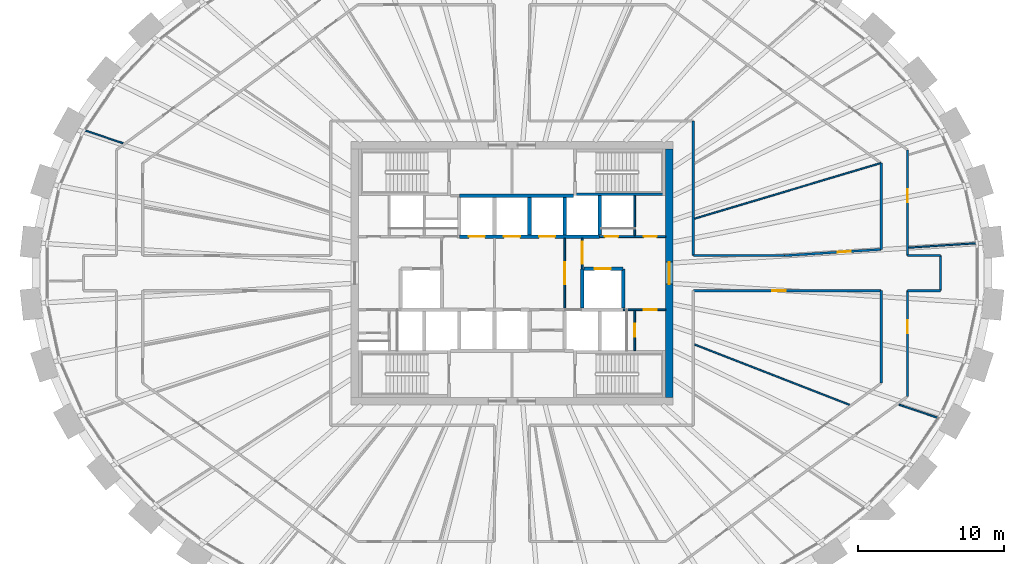
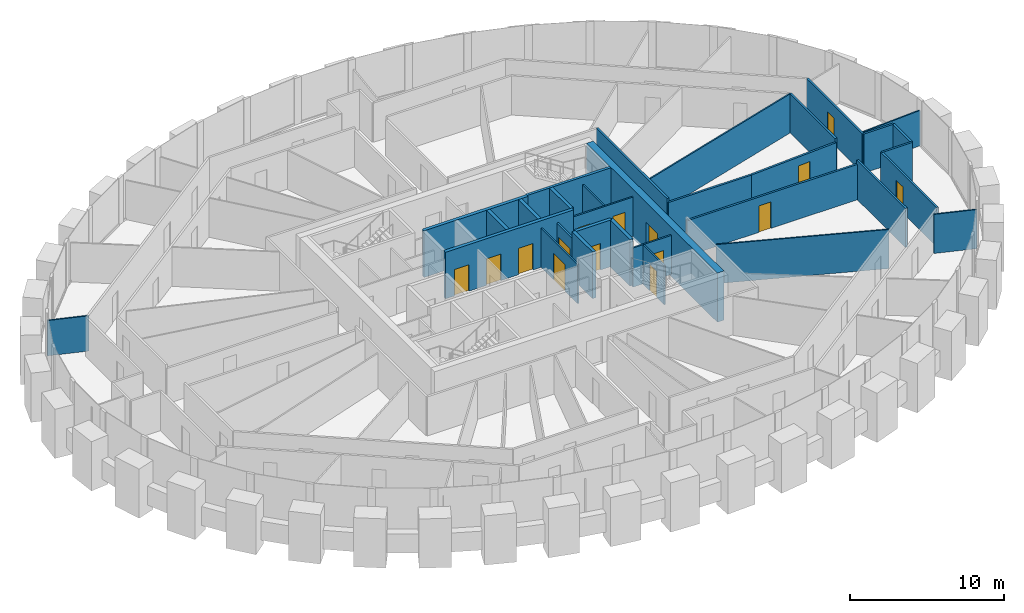
# One storey, part 9 of 12: 32 walls, 15 doors, 15 openings.
"""IFC4 building model written with IfcOpenShell, lengths in metres."""

from ifc_helpers import new_model, si_unit, direction, frame, frame_2d, origin, place, context, subcontext, project, spatial, rectangle, extrude, source, transform, mapped, material, layer, layer_set, type_object, element, fill, save


model = new_model("IFC4")

# Units and contexts
model_context = context("Model", 3, precision=1e-05, world=origin(), true_north=direction((0.0, 1.0)))
body_context = subcontext(model_context, "Body", "Model", "MODEL_VIEW")
ifc_project = project(units=[si_unit("LENGTHUNIT", "METRE"), si_unit("AREAUNIT", "SQUARE_METRE"), si_unit("VOLUMEUNIT", "CUBIC_METRE"), si_unit("PLANEANGLEUNIT", "RADIAN"), si_unit("MASSUNIT", "GRAM", prefix="KILO")], contexts=[model_context])

# Site, building, storey
site_placement = place(None, origin())
site = spatial("IfcSite", under=ifc_project, at=site_placement, CompositionType="ELEMENT")
building_placement = place(site_placement, origin())
building = spatial("IfcBuilding", under=site, at=building_placement, Name="Embergate Tower", CompositionType="ELEMENT")
storey_placement = place(building_placement, frame((0.0, 0.0, 261.699951171875)))
storey = spatial("IfcBuildingStorey", under=building, at=storey_placement, Name="L60", CompositionType="ELEMENT", Elevation=261.699951171875)

# Wall, opening, door
ifc_material_1 = material(Name="Concrete C50", Category="concrete")
ifc_layer_1 = layer(ifc_material_1, 0.5)
ifc_layer_set_1 = layer_set([ifc_layer_1], Name="Concrete C50")
wall_type_1 = type_object("IfcWallType", Name="Core outer wall C50 500", PredefinedType="SHEAR", material=ifc_layer_set_1)
shared_shape_1 = source(origin(), body_context, "Body", "SweptSolid", [
    extrude(rectangle(XDim=17.0, YDim=0.5, at=frame_2d((8.5, 0.0))), origin(), (0.0, 0.0, 1.0), 3.89990234375),
])
wall_1_placement = place(storey_placement, frame((10.75, -8.5, -0.199951171875), z_axis=(0.0, 0.0, 1.0), x_axis=(0.0, 1.0, 0.0)))
wall_1 = element("IfcWall", 1, at=wall_1_placement, inside=storey, type_object=wall_type_1, Name="CW-L60-E", PredefinedType="SHEAR", context=body_context, shape_type="MappedRepresentation", body=[
    mapped(shared_shape_1, transform((0.0, 0.0, 0.0))),
])
shared_shape_2 = source(origin(), body_context, "Body", "SweptSolid", [
    extrude(rectangle(XDim=1.5, YDim=2.10009765625, at=frame_2d((0.75, 1.050048828125))), frame((0.0, 0.260009765625, 0.0), z_axis=(0.0, -1.0, 0.0), x_axis=(1.0, 0.0, 0.0)), (0.0, 0.0, 1.0), 0.52001953125),
])
opening_1_placement = place(wall_1_placement, frame((7.75, 0.0, 0.199951171875)))
opening_1 = element("IfcOpeningElement", 2, at=opening_1_placement, cuts=wall_1, Name="Opening IF-3", PredefinedType="OPENING", context=body_context, shape_type="MappedRepresentation", body=[
    mapped(shared_shape_2, transform((0.0, 0.0, 0.0))),
])
ifc_material_2 = material(Name="Lobby fire door pair 1500")
door_type_1 = type_object("IfcDoorType", Name="Lobby fire door pair 1500", OperationType="DOUBLE_DOOR_SINGLE_SWING", PredefinedType="DOOR", material=ifc_material_2)
shared_shape_3 = source(origin(), body_context, "Body", "SweptSolid", [
    extrude(rectangle(XDim=1.5, YDim=2.10009765625, at=frame_2d((0.75, 1.050048828125))), frame((0.0, 0.02490234375, 0.0), z_axis=(0.0, -1.0, 0.0), x_axis=(1.0, 0.0, 0.0)), (0.0, 0.0, 1.0), 0.050048828125),
])
door_1_placement = place(opening_1_placement, origin())
door_1 = element("IfcDoor", 3, at=door_1_placement, inside=storey, type_object=door_type_1, Name="IF-3 door", OperationType="DOUBLE_DOOR_SINGLE_SWING", OverallHeight=2.10009765625, OverallWidth=1.5, PredefinedType="DOOR", context=body_context, shape_type="MappedRepresentation", body=[
    mapped(shared_shape_3, transform((0.0, 0.0, 0.0))),
])
fill(opening_1, door_1)

# Walls
ifc_layer_2 = layer(ifc_material_1, 0.25)
ifc_layer_set_2 = layer_set([ifc_layer_2], Name="Concrete C50")
wall_type_2 = type_object("IfcWallType", Name="Hoistway wall reinforced concrete 250", PredefinedType="SHEAR", material=ifc_layer_set_2)
shared_shape_4 = source(origin(), body_context, "Body", "SweptSolid", [
    extrude(rectangle(XDim=2.675048828125, YDim=0.25, at=frame_2d((1.33740234375, 0.0))), origin(), (0.0, 0.0, 1.0), 3.699951171875),
])
for number, where, z_axis, x_axis, name in (
    (4, (6.0, 2.625, 0.0), (0.0, 0.0, 1.0), (0.0, 1.0, 0.0), "HW-1 wall"),
    (5, (4.800048828125, -2.375, 0.0), (0.0, 0.0, 1.0), (0.0, 1.0, 0.0), "HW-1 wall"),
):
    element("IfcWall", number, at=place(storey_placement, frame(where, z_axis=z_axis, x_axis=x_axis)), inside=storey, type_object=wall_type_2, Name=name, PredefinedType="SHEAR", context=body_context, shape_type="MappedRepresentation", body=[
        mapped(shared_shape_4, transform((0.0, 0.0, 0.0))),
    ])

# Wall, opening, door
wall_2_placement = place(storey_placement, frame((7.60009765625, 0.300048828125, 0.0), z_axis=(0.0, 0.0, 1.0), x_axis=(-1.0, 0.0, 0.0)))
wall_2 = element("IfcWall", 6, at=wall_2_placement, inside=storey, type_object=wall_type_2, Name="HW-1 wall", PredefinedType="SHEAR", context=body_context, shape_type="MappedRepresentation", body=[
    mapped(shared_shape_4, transform((0.0, 0.0, 0.0))),
])
shared_shape_5 = source(origin(), body_context, "Body", "SweptSolid", [
    extrude(rectangle(XDim=1.10009765625, YDim=2.10009765625, at=frame_2d((0.550048828125, 1.050048828125))), frame((0.0, 0.135009765625, 0.0), z_axis=(0.0, -1.0, 0.0), x_axis=(1.0, 0.0, 0.0)), (0.0, 0.0, 1.0), 0.27001953125),
])
opening_2_placement = place(wall_2_placement, frame((0.85009765625, 0.0, 0.0)))
opening_2 = element("IfcOpeningElement", 7, at=opening_2_placement, cuts=wall_2, Name="Opening LD", PredefinedType="OPENING", context=body_context, shape_type="MappedRepresentation", body=[
    mapped(shared_shape_5, transform((0.0, 0.0, 0.0))),
])
ifc_material_3 = material(Name="Landing door sliding 1100")
door_type_2 = type_object("IfcDoorType", Name="Landing door sliding 1100", OperationType="SLIDING_TO_LEFT", PredefinedType="DOOR", material=ifc_material_3)
shared_shape_6 = source(origin(), body_context, "Body", "SweptSolid", [
    extrude(rectangle(XDim=1.10009765625, YDim=2.10009765625, at=frame_2d((0.550048828125, 1.050048828125))), frame((0.0, 0.02490234375, 0.0), z_axis=(0.0, -1.0, 0.0), x_axis=(1.0, 0.0, 0.0)), (0.0, 0.0, 1.0), 0.050048828125),
])
door_2_placement = place(opening_2_placement, origin())
door_2 = element("IfcDoor", 8, at=door_2_placement, inside=storey, type_object=door_type_2, Name="LD door", OperationType="SLIDING_TO_RIGHT", OverallHeight=2.10009765625, OverallWidth=1.10009765625, PredefinedType="DOOR", context=body_context, shape_type="MappedRepresentation", body=[
    mapped(shared_shape_6, transform((0.0, 0.0, 0.0))),
])
fill(opening_2, door_2)

# Walls
wall_3_placement = place(storey_placement, frame((7.60009765625, -2.375, 0.0), z_axis=(0.0, 0.0, 1.0), x_axis=(0.0, 1.0, 0.0)))
element("IfcWall", 9, at=wall_3_placement, inside=storey, type_object=wall_type_2, Name="HW-1 wall", PredefinedType="SHEAR", context=body_context, shape_type="MappedRepresentation", body=[
    mapped(shared_shape_4, transform((0.0, 0.0, 0.0))),
])
ifc_layer_3 = layer(ifc_material_1, 0.199951171875)
ifc_layer_set_3 = layer_set([ifc_layer_3], Name="Concrete C50")
wall_type_3 = type_object("IfcWallType", Name="Stair enclosure wall reinforced concrete 250", PredefinedType="SHEAR", material=ifc_layer_set_3)
shared_shape_7 = source(origin(), body_context, "Body", "SweptSolid", [
    extrude(rectangle(XDim=6.300048828125, YDim=0.199951171875, at=frame_2d((3.14990234375, 0.0))), origin(), (0.0, 0.0, 1.0), 3.699951171875),
])
wall_4_placement = place(storey_placement, frame((10.5, 5.39990234375, 0.0), z_axis=(0.0, 0.0, 1.0), x_axis=(-1.0, 0.0, 0.0)))
element("IfcWall", 10, at=wall_4_placement, inside=storey, type_object=wall_type_3, Name="SE-1 wall", PredefinedType="SHEAR", context=body_context, shape_type="MappedRepresentation", body=[
    mapped(shared_shape_7, transform((0.0, 0.0, 0.0))),
])
ifc_material_4 = material(Name="Core partition blockwork 120")
ifc_layer_4 = layer(ifc_material_4, 0.1201171875)
ifc_layer_set_4 = layer_set([ifc_layer_4], Name="Core partition blockwork 120")
wall_type_4 = type_object("IfcWallType", Name="Core partition blockwork 120", PredefinedType="PARTITIONING", material=ifc_layer_set_4)
shared_shape_8 = source(origin(), body_context, "Body", "SweptSolid", [
    extrude(rectangle(XDim=2.739990234375, YDim=0.1201171875, at=frame_2d((1.3701171875, 0.0))), origin(), (0.0, 0.0, 1.0), 3.10009765625),
])
wall_5_placement = place(storey_placement, frame((8.39990234375, 2.56005859375, 0.0), z_axis=(0.0, 0.0, 1.0), x_axis=(0.0, 1.0, 0.0)))
element("IfcWall", 11, at=wall_5_placement, inside=storey, type_object=wall_type_4, Name="IP-3 wall", PredefinedType="PARTITIONING", context=body_context, shape_type="MappedRepresentation", body=[
    mapped(shared_shape_8, transform((0.0, 0.0, 0.0))),
])

# Wall, opening, door
wall_6_placement = place(storey_placement, frame((8.39990234375, -5.300048828125, 0.0), z_axis=(0.0, 0.0, 1.0), x_axis=(0.0, 1.0, 0.0)))
wall_6 = element("IfcWall", 12, at=wall_6_placement, inside=storey, type_object=wall_type_4, Name="IP-3 wall", PredefinedType="PARTITIONING", context=body_context, shape_type="MappedRepresentation", body=[
    mapped(shared_shape_8, transform((0.0, 0.0, 0.0))),
])
shared_shape_9 = source(origin(), body_context, "Body", "SweptSolid", [
    extrude(rectangle(XDim=0.89990234375, YDim=2.10009765625, at=frame_2d((0.449951171875, 1.050048828125))), frame((0.0, 0.070068359375, 0.0), z_axis=(0.0, -1.0, 0.0), x_axis=(1.0, 0.0, 0.0)), (0.0, 0.0, 1.0), 0.14013671875),
])
opening_3_placement = place(wall_6_placement, frame((0.949951171875, 0.0, 0.0)))
opening_3 = element("IfcOpeningElement", 13, at=opening_3_placement, cuts=wall_6, Name="Opening ID-1", PredefinedType="OPENING", context=body_context, shape_type="MappedRepresentation", body=[
    mapped(shared_shape_9, transform((0.0, 0.0, 0.0))),
])
ifc_material_5 = material(Name="Interior door 900")
door_type_3 = type_object("IfcDoorType", Name="Interior door 900", OperationType="SINGLE_SWING_LEFT", PredefinedType="DOOR", material=ifc_material_5)
shared_shape_10 = source(origin(), body_context, "Body", "SweptSolid", [
    extrude(rectangle(XDim=0.89990234375, YDim=2.10009765625, at=frame_2d((0.449951171875, 1.050048828125))), frame((0.0, 0.02490234375, 0.0), z_axis=(0.0, -1.0, 0.0), x_axis=(1.0, 0.0, 0.0)), (0.0, 0.0, 1.0), 0.050048828125),
])
door_3_placement = place(opening_3_placement, origin())
door_3 = element("IfcDoor", 14, at=door_3_placement, inside=storey, type_object=door_type_3, Name="ID-1 door", OperationType="SINGLE_SWING_LEFT", OverallHeight=2.10009765625, OverallWidth=0.89990234375, PredefinedType="DOOR", context=body_context, shape_type="MappedRepresentation", body=[
    mapped(shared_shape_10, transform((0.0, 0.0, 0.0))),
])
fill(opening_3, door_3)

# Walls
shared_shape_11 = source(origin(), body_context, "Body", "SweptSolid", [
    extrude(rectangle(XDim=2.550048828125, YDim=0.25, at=frame_2d((1.27490234375, 0.0))), origin(), (0.0, 0.0, 1.0), 3.699951171875),
])
for number, where, z_axis, x_axis, name in (
    (15, (1.199951171875, 2.625, 0.0), (0.0, 0.0, 1.0), (0.0, 1.0, 0.0), "HW-1 wall"),
    (16, (3.60009765625, 2.625, 0.0), (0.0, 0.0, 1.0), (0.0, 1.0, 0.0), "HW-1 wall"),
):
    element("IfcWall", number, at=place(storey_placement, frame(where, z_axis=z_axis, x_axis=x_axis)), inside=storey, type_object=wall_type_2, Name=name, PredefinedType="SHEAR", context=body_context, shape_type="MappedRepresentation", body=[
        mapped(shared_shape_11, transform((0.0, 0.0, 0.0))),
    ])

# Wall, opening, door
shared_shape_12 = source(origin(), body_context, "Body", "SweptSolid", [
    extrude(rectangle(XDim=4.75, YDim=0.1201171875, at=frame_2d((2.375, 0.0))), origin(), (0.0, 0.0, 1.0), 3.10009765625),
])
wall_7_placement = place(storey_placement, frame((3.60009765625, -2.375, 0.0), z_axis=(0.0, 0.0, 1.0), x_axis=(0.0, 1.0, 0.0)))
wall_7 = element("IfcWall", 17, at=wall_7_placement, inside=storey, type_object=wall_type_4, Name="IP-3 wall", PredefinedType="PARTITIONING", context=body_context, shape_type="MappedRepresentation", body=[
    mapped(shared_shape_12, transform((0.0, 0.0, 0.0))),
])
shared_shape_13 = source(origin(), body_context, "Body", "SweptSolid", [
    extrude(rectangle(XDim=1.5, YDim=2.10009765625, at=frame_2d((0.75, 1.050048828125))), frame((0.0, 0.070068359375, 0.0), z_axis=(0.0, -1.0, 0.0), x_axis=(1.0, 0.0, 0.0)), (0.0, 0.0, 1.0), 0.14013671875),
])
opening_4_placement = place(wall_7_placement, frame((1.625, 0.0, 0.0)))
opening_4 = element("IfcOpeningElement", 18, at=opening_4_placement, cuts=wall_7, Name="Opening IF-3", PredefinedType="OPENING", context=body_context, shape_type="MappedRepresentation", body=[
    mapped(shared_shape_13, transform((0.0, 0.0, 0.0))),
])
door_4_placement = place(opening_4_placement, origin())
door_4 = element("IfcDoor", 19, at=door_4_placement, inside=storey, type_object=door_type_1, Name="IF-3 door", OperationType="DOUBLE_DOOR_SINGLE_SWING", OverallHeight=2.10009765625, OverallWidth=1.5, PredefinedType="DOOR", context=body_context, shape_type="MappedRepresentation", body=[
    mapped(shared_shape_3, transform((0.0, 0.0, 0.0))),
])
fill(opening_4, door_4)

shared_shape_14 = source(origin(), body_context, "Body", "SweptSolid", [
    extrude(rectangle(XDim=2.074951171875, YDim=0.1201171875, at=frame_2d((1.03759765625, 0.0))), origin(), (0.0, 0.0, 1.0), 3.10009765625),
])
wall_8_placement = place(storey_placement, frame((4.800048828125, 0.300048828125, 0.0), z_axis=(0.0, 0.0, 1.0), x_axis=(0.0, 1.0, 0.0)))
wall_8 = element("IfcWall", 20, at=wall_8_placement, inside=storey, type_object=wall_type_4, Name="IP-3 wall", PredefinedType="PARTITIONING", context=body_context, shape_type="MappedRepresentation", body=[
    mapped(shared_shape_14, transform((0.0, 0.0, 0.0))),
])
opening_5_placement = place(wall_8_placement, frame((0.35009765625, 0.0, 0.0)))
opening_5 = element("IfcOpeningElement", 21, at=opening_5_placement, cuts=wall_8, Name="Opening IF-3", PredefinedType="OPENING", context=body_context, shape_type="MappedRepresentation", body=[
    mapped(shared_shape_13, transform((0.0, 0.0, 0.0))),
])
door_5_placement = place(opening_5_placement, origin())
door_5 = element("IfcDoor", 22, at=door_5_placement, inside=storey, type_object=door_type_1, Name="IF-3 door", OperationType="DOUBLE_DOOR_SINGLE_SWING", OverallHeight=2.10009765625, OverallWidth=1.5, PredefinedType="DOOR", context=body_context, shape_type="MappedRepresentation", body=[
    mapped(shared_shape_3, transform((0.0, 0.0, 0.0))),
])
fill(opening_5, door_5)

# Walls
shared_shape_15 = source(origin(), body_context, "Body", "SweptSolid", [
    extrude(rectangle(XDim=7.800048828125, YDim=0.25, at=frame_2d((3.89990234375, 0.0))), origin(), (0.0, 0.0, 1.0), 3.699951171875),
])
wall_9_placement = place(storey_placement, frame((4.199951171875, 5.300048828125, 0.0), z_axis=(0.0, 0.0, 1.0), x_axis=(-1.0, 0.0, 0.0)))
element("IfcWall", 23, at=wall_9_placement, inside=storey, type_object=wall_type_2, Name="HW-1 wall", PredefinedType="SHEAR", context=body_context, shape_type="MappedRepresentation", body=[
    mapped(shared_shape_15, transform((0.0, 0.0, 0.0))),
])
ifc_material_6 = material(Name="Corridor wall dry-lined 150")
ifc_layer_5 = layer(ifc_material_6, 0.14990234375)
ifc_layer_set_5 = layer_set([ifc_layer_5], Name="Corridor wall dry-lined 150")
wall_type_5 = type_object("IfcWallType", Name="Corridor wall dry-lined 150", PredefinedType="PARTITIONING", material=ifc_layer_set_5)
shared_shape_16 = source(origin(), body_context, "Body", "SweptSolid", [
    extrude(rectangle(XDim=9.199951171875, YDim=0.14990234375, at=frame_2d((4.60009765625, 0.0))), origin(), (0.0, 0.0, 1.0), 3.10009765625),
])
wall_10_placement = place(storey_placement, frame((12.39990234375, 1.199951171875, 0.0), z_axis=(0.0, 0.0, 1.0), x_axis=(0.0, 1.0, 0.0)))
element("IfcWall", 24, at=wall_10_placement, inside=storey, type_object=wall_type_5, Name="IP-2 wall", PredefinedType="PARTITIONING", context=body_context, shape_type="MappedRepresentation", body=[
    mapped(shared_shape_16, transform((0.0, 0.0, 0.0))),
])
shared_shape_17 = source(origin(), body_context, "Body", "SweptSolid", [
    extrude(rectangle(XDim=2.39990234375, YDim=0.14990234375, at=frame_2d((1.199951171875, 0.0))), origin(), (0.0, 0.0, 1.0), 3.10009765625),
])
wall_11_placement = place(storey_placement, frame((29.300048828125, -1.199951171875, 0.0), z_axis=(0.0, 0.0, 1.0), x_axis=(0.0, 1.0, 0.0)))
element("IfcWall", 25, at=wall_11_placement, inside=storey, type_object=wall_type_5, Name="IP-2 wall", PredefinedType="PARTITIONING", context=body_context, shape_type="MappedRepresentation", body=[
    mapped(shared_shape_17, transform((0.0, 0.0, 0.0))),
])

# Wall, openings, doors
shared_shape_18 = source(origin(), body_context, "Body", "SweptSolid", [
    extrude(rectangle(XDim=4.5, YDim=0.1201171875, at=frame_2d((2.25, 0.0))), origin(), (0.0, 0.0, 1.0), 3.10009765625),
])
wall_12_placement = place(storey_placement, frame((6.0, 2.5, 0.0), z_axis=(0.0, 0.0, 1.0), x_axis=(1.0, 0.0, 0.0)))
wall_12 = element("IfcWall", 26, at=wall_12_placement, inside=storey, type_object=wall_type_4, Name="IP-3 wall", PredefinedType="PARTITIONING", context=body_context, shape_type="MappedRepresentation", body=[
    mapped(shared_shape_18, transform((0.0, 0.0, 0.0))),
])
opening_6_placement = place(wall_12_placement, frame((0.35009765625, 0.0, 0.0)))
opening_6 = element("IfcOpeningElement", 27, at=opening_6_placement, cuts=wall_12, Name="Opening ID-1", PredefinedType="OPENING", context=body_context, shape_type="MappedRepresentation", body=[
    mapped(shared_shape_9, transform((0.0, 0.0, 0.0))),
])
opening_7_placement = place(wall_12_placement, frame((3.0, 0.0, 0.0)))
opening_7 = element("IfcOpeningElement", 28, at=opening_7_placement, cuts=wall_12, Name="Opening ID-1", PredefinedType="OPENING", context=body_context, shape_type="MappedRepresentation", body=[
    mapped(shared_shape_9, transform((0.0, 0.0, 0.0))),
])
door_6_placement = place(opening_6_placement, origin())
door_6 = element("IfcDoor", 29, at=door_6_placement, inside=storey, type_object=door_type_3, Name="ID-1 door", OperationType="SINGLE_SWING_LEFT", OverallHeight=2.10009765625, OverallWidth=0.89990234375, PredefinedType="DOOR", context=body_context, shape_type="MappedRepresentation", body=[
    mapped(shared_shape_10, transform((0.0, 0.0, 0.0))),
])
fill(opening_6, door_6)
door_7_placement = place(opening_7_placement, origin())
door_7 = element("IfcDoor", 30, at=door_7_placement, inside=storey, type_object=door_type_3, Name="ID-1 door", OperationType="SINGLE_SWING_LEFT", OverallHeight=2.10009765625, OverallWidth=0.89990234375, PredefinedType="DOOR", context=body_context, shape_type="MappedRepresentation", body=[
    mapped(shared_shape_10, transform((0.0, 0.0, 0.0))),
])
fill(opening_7, door_7)

# Wall, opening, door
shared_shape_19 = source(origin(), body_context, "Body", "SweptSolid", [
    extrude(rectangle(XDim=2.89990234375, YDim=0.1201171875, at=frame_2d((1.449951171875, 0.0))), origin(), (0.0, 0.0, 1.0), 3.10009765625),
])
wall_13_placement = place(storey_placement, frame((10.5, -2.5, 0.0), z_axis=(0.0, 0.0, 1.0), x_axis=(-1.0, 0.0, 0.0)))
wall_13 = element("IfcWall", 31, at=wall_13_placement, inside=storey, type_object=wall_type_4, Name="IP-3 wall", PredefinedType="PARTITIONING", context=body_context, shape_type="MappedRepresentation", body=[
    mapped(shared_shape_19, transform((0.0, 0.0, 0.0))),
])
opening_8_placement = place(wall_13_placement, frame((0.60009765625, 0.0, 0.0)))
opening_8 = element("IfcOpeningElement", 32, at=opening_8_placement, cuts=wall_13, Name="Opening ID-1", PredefinedType="OPENING", context=body_context, shape_type="MappedRepresentation", body=[
    mapped(shared_shape_9, transform((0.0, 0.0, 0.0))),
])
door_8_placement = place(opening_8_placement, origin())
door_8 = element("IfcDoor", 33, at=door_8_placement, inside=storey, type_object=door_type_3, Name="ID-1 door", OperationType="SINGLE_SWING_RIGHT", OverallHeight=2.10009765625, OverallWidth=0.89990234375, PredefinedType="DOOR", context=body_context, shape_type="MappedRepresentation", body=[
    mapped(shared_shape_10, transform((0.0, 0.0, 0.0))),
])
fill(opening_8, door_8)

shared_shape_20 = source(origin(), body_context, "Body", "SweptSolid", [
    extrude(rectangle(XDim=12.84619140625, YDim=0.14990234375, at=frame_2d((6.423095703125, 0.0))), origin(), (0.0, 0.0, 1.0), 2.800048828125),
])
wall_14_placement = place(storey_placement, frame((25.24609375, -1.199951171875, 0.0), z_axis=(0.0, 0.0, 1.0), x_axis=(-1.0, 0.0, 0.0)))
wall_14 = element("IfcWall", 34, at=wall_14_placement, inside=storey, type_object=wall_type_5, Name="IP-2 wall", PredefinedType="PARTITIONING", context=body_context, shape_type="MappedRepresentation", body=[
    mapped(shared_shape_20, transform((0.0, 0.0, 0.0))),
])
shared_shape_21 = source(origin(), body_context, "Body", "SweptSolid", [
    extrude(rectangle(XDim=0.89990234375, YDim=2.10009765625, at=frame_2d((0.449951171875, 1.050048828125))), frame((0.0, 0.0849609375, 0.0), z_axis=(0.0, -1.0, 0.0), x_axis=(1.0, 0.0, 0.0)), (0.0, 0.0, 1.0), 0.169921875),
])
opening_9_placement = place(wall_14_placement, frame((6.539794921875, 0.0, 0.0)))
opening_9 = element("IfcOpeningElement", 35, at=opening_9_placement, cuts=wall_14, Name="Opening IF-1c", PredefinedType="OPENING", context=body_context, shape_type="MappedRepresentation", body=[
    mapped(shared_shape_21, transform((0.0, 0.0, 0.0))),
])
ifc_material_7 = material(Name="Escape fire door 900")
door_type_4 = type_object("IfcDoorType", Name="Escape fire door 900", OperationType="SINGLE_SWING_LEFT", PredefinedType="DOOR", material=ifc_material_7)
door_9_placement = place(opening_9_placement, origin())
door_9 = element("IfcDoor", 36, at=door_9_placement, inside=storey, type_object=door_type_4, Name="IF-1 door", OperationType="SINGLE_SWING_RIGHT", OverallHeight=2.10009765625, OverallWidth=0.89990234375, PredefinedType="DOOR", context=body_context, shape_type="MappedRepresentation", body=[
    mapped(shared_shape_10, transform((0.0, 0.0, 0.0))),
])
fill(opening_9, door_9)

shared_shape_22 = source(origin(), body_context, "Body", "SweptSolid", [
    extrude(rectangle(XDim=6.6328125, YDim=0.14990234375, at=frame_2d((3.31640625, 0.0))), origin(), (0.0, 0.0, 1.0), 2.800048828125),
])
wall_15_placement = place(storey_placement, frame((25.24609375, 1.6259765625, 0.0), z_axis=(0.0, 0.0, 1.0), x_axis=(-0.997935138173, -0.064229743881, 0.0)))
wall_15 = element("IfcWall", 37, at=wall_15_placement, inside=storey, type_object=wall_type_5, Name="IP-2 wall", PredefinedType="PARTITIONING", context=body_context, shape_type="MappedRepresentation", body=[
    mapped(shared_shape_22, transform((0.0, 0.0, 0.0))),
])
opening_10_placement = place(wall_15_placement, frame((2.075927734375, 0.0, 0.0)))
opening_10 = element("IfcOpeningElement", 38, at=opening_10_placement, cuts=wall_15, Name="Opening IF-1c", PredefinedType="OPENING", context=body_context, shape_type="MappedRepresentation", body=[
    mapped(shared_shape_21, transform((0.0, 0.0, 0.0))),
])
door_10_placement = place(opening_10_placement, origin())
door_10 = element("IfcDoor", 39, at=door_10_placement, inside=storey, type_object=door_type_4, Name="IF-1 door", OperationType="SINGLE_SWING_LEFT", OverallHeight=2.10009765625, OverallWidth=0.89990234375, PredefinedType="DOOR", context=body_context, shape_type="MappedRepresentation", body=[
    mapped(shared_shape_10, transform((0.0, 0.0, 0.0))),
])
fill(opening_10, door_10)

# Walls
shared_shape_23 = source(origin(), body_context, "Body", "SweptSolid", [
    extrude(rectangle(XDim=6.22705078125, YDim=0.14990234375, at=frame_2d((3.113525390625, 0.0))), origin(), (0.0, 0.0, 1.0), 2.800048828125),
])
wall_16_placement = place(storey_placement, frame((18.626953125, 1.199951171875, 0.0), z_axis=(0.0, 0.0, 1.0), x_axis=(-1.0, 0.0, 0.0)))
element("IfcWall", 40, at=wall_16_placement, inside=storey, type_object=wall_type_5, Name="IP-2 wall", PredefinedType="PARTITIONING", context=body_context, shape_type="MappedRepresentation", body=[
    mapped(shared_shape_23, transform((0.0, 0.0, 0.0))),
])
ifc_material_8 = material(Name="Partition dry-lined 100")
ifc_layer_6 = layer(ifc_material_8, 0.10009765625)
ifc_layer_set_6 = layer_set([ifc_layer_6], Name="Partition dry-lined 100")
wall_type_6 = type_object("IfcWallType", Name="Partition dry-lined 100", PredefinedType="PARTITIONING", material=ifc_layer_set_6)
shared_shape_24 = source(origin(), body_context, "Body", "SweptSolid", [
    extrude(rectangle(XDim=2.776123046875, YDim=0.10009765625, at=frame_2d((1.38818359375, 0.0))), origin(), (0.0, 0.0, 1.0), 2.800048828125),
])
wall_17_placement = place(storey_placement, frame((-26.59912109375, 8.889892578125, 0.0), z_axis=(0.0, 0.0, 1.0), x_axis=(-0.948410312692, 0.317045546852, 0.0)))
element("IfcWall", 41, at=wall_17_placement, inside=storey, type_object=wall_type_6, Name="IP-1 wall", PredefinedType="PARTITIONING", context=body_context, shape_type="MappedRepresentation", body=[
    mapped(shared_shape_24, transform((0.0, 0.0, 0.0))),
])
shared_shape_25 = source(origin(), body_context, "Body", "SweptSolid", [
    extrude(rectangle(XDim=4.674560546875, YDim=0.10009765625, at=frame_2d((2.33740234375, 0.0))), origin(), (0.0, 0.0, 1.0), 2.800048828125),
])
wall_18_placement = place(storey_placement, frame((31.785888671875, 2.048095703125, 0.0), z_axis=(0.0, 0.0, 1.0), x_axis=(-0.997924334649, -0.064397378166, 0.0)))
element("IfcWall", 42, at=wall_18_placement, inside=storey, type_object=wall_type_6, Name="IP-1 wall", PredefinedType="PARTITIONING", context=body_context, shape_type="MappedRepresentation", body=[
    mapped(shared_shape_25, transform((0.0, 0.0, 0.0))),
])

# Wall, openings, doors
shared_shape_26 = source(origin(), body_context, "Body", "SweptSolid", [
    extrude(rectangle(XDim=9.60009765625, YDim=0.25, at=frame_2d((4.800048828125, 0.0))), origin(), (0.0, 0.0, 1.0), 3.699951171875),
])
wall_19_placement = place(storey_placement, frame((-3.60009765625, 2.5, 0.0), z_axis=(0.0, 0.0, 1.0), x_axis=(1.0, 0.0, 0.0)))
wall_19 = element("IfcWall", 43, at=wall_19_placement, inside=storey, type_object=wall_type_2, Name="HW-1 wall", PredefinedType="SHEAR", context=body_context, shape_type="MappedRepresentation", body=[
    mapped(shared_shape_26, transform((0.0, 0.0, 0.0))),
])
opening_11_placement = place(wall_19_placement, frame((0.64990234375, 0.0, 0.0)))
opening_11 = element("IfcOpeningElement", 44, at=opening_11_placement, cuts=wall_19, Name="Opening LD", PredefinedType="OPENING", context=body_context, shape_type="MappedRepresentation", body=[
    mapped(shared_shape_5, transform((0.0, 0.0, 0.0))),
])
opening_12_placement = place(wall_19_placement, frame((3.050048828125, 0.0, 0.0)))
opening_12 = element("IfcOpeningElement", 45, at=opening_12_placement, cuts=wall_19, Name="Opening LD", PredefinedType="OPENING", context=body_context, shape_type="MappedRepresentation", body=[
    mapped(shared_shape_5, transform((0.0, 0.0, 0.0))),
])
opening_13_placement = place(wall_19_placement, frame((5.449951171875, 0.0, 0.0)))
opening_13 = element("IfcOpeningElement", 46, at=opening_13_placement, cuts=wall_19, Name="Opening LD", PredefinedType="OPENING", context=body_context, shape_type="MappedRepresentation", body=[
    mapped(shared_shape_5, transform((0.0, 0.0, 0.0))),
])
door_11_placement = place(opening_11_placement, origin())
door_11 = element("IfcDoor", 47, at=door_11_placement, inside=storey, type_object=door_type_2, Name="LD door", OperationType="SLIDING_TO_LEFT", OverallHeight=2.10009765625, OverallWidth=1.10009765625, PredefinedType="DOOR", context=body_context, shape_type="MappedRepresentation", body=[
    mapped(shared_shape_6, transform((0.0, 0.0, 0.0))),
])
fill(opening_11, door_11)
door_12_placement = place(opening_12_placement, origin())
door_12 = element("IfcDoor", 48, at=door_12_placement, inside=storey, type_object=door_type_2, Name="LD door", OperationType="SLIDING_TO_RIGHT", OverallHeight=2.10009765625, OverallWidth=1.10009765625, PredefinedType="DOOR", context=body_context, shape_type="MappedRepresentation", body=[
    mapped(shared_shape_6, transform((0.0, 0.0, 0.0))),
])
fill(opening_12, door_12)
door_13_placement = place(opening_13_placement, origin())
door_13 = element("IfcDoor", 49, at=door_13_placement, inside=storey, type_object=door_type_2, Name="LD door", OperationType="SLIDING_TO_RIGHT", OverallHeight=2.10009765625, OverallWidth=1.10009765625, PredefinedType="DOOR", context=body_context, shape_type="MappedRepresentation", body=[
    mapped(shared_shape_6, transform((0.0, 0.0, 0.0))),
])
fill(opening_13, door_13)

# Wall, opening, door
shared_shape_27 = source(origin(), body_context, "Body", "SweptSolid", [
    extrude(rectangle(XDim=7.23193359375, YDim=0.14990234375, at=frame_2d((3.615966796875, 0.0))), origin(), (0.0, 0.0, 1.0), 3.10009765625),
])
wall_20_placement = place(storey_placement, frame((27.0458984375, -8.431884765625, 0.0), z_axis=(0.0, 0.0, 1.0), x_axis=(0.0, 1.0, 0.0)))
wall_20 = element("IfcWall", 50, at=wall_20_placement, inside=storey, type_object=wall_type_5, Name="IP-2 wall", PredefinedType="PARTITIONING", context=body_context, shape_type="MappedRepresentation", body=[
    mapped(shared_shape_27, transform((0.0, 0.0, 0.0))),
])
opening_14_placement = place(wall_20_placement, frame((4.312255859375, 0.0, 0.0)))
opening_14 = element("IfcOpeningElement", 51, at=opening_14_placement, cuts=wall_20, Name="Opening IF-1c", PredefinedType="OPENING", context=body_context, shape_type="MappedRepresentation", body=[
    mapped(shared_shape_21, transform((0.0, 0.0, 0.0))),
])
door_14_placement = place(opening_14_placement, origin())
door_14 = element("IfcDoor", 52, at=door_14_placement, inside=storey, type_object=door_type_4, Name="IF-1 door", OperationType="SINGLE_SWING_RIGHT", OverallHeight=2.10009765625, OverallWidth=0.89990234375, PredefinedType="DOOR", context=body_context, shape_type="MappedRepresentation", body=[
    mapped(shared_shape_10, transform((0.0, 0.0, 0.0))),
])
fill(opening_14, door_14)

wall_21_placement = place(storey_placement, frame((27.0458984375, 1.199951171875, 0.0), z_axis=(0.0, 0.0, 1.0), x_axis=(0.0, 1.0, 0.0)))
wall_21 = element("IfcWall", 53, at=wall_21_placement, inside=storey, type_object=wall_type_5, Name="IP-2 wall", PredefinedType="PARTITIONING", context=body_context, shape_type="MappedRepresentation", body=[
    mapped(shared_shape_27, transform((0.0, 0.0, 0.0))),
])
opening_15_placement = place(wall_21_placement, frame((3.64501953125, 0.0, 0.0)))
opening_15 = element("IfcOpeningElement", 54, at=opening_15_placement, cuts=wall_21, Name="Opening IF-1c", PredefinedType="OPENING", context=body_context, shape_type="MappedRepresentation", body=[
    mapped(shared_shape_21, transform((0.0, 0.0, 0.0))),
])
door_15_placement = place(opening_15_placement, origin())
door_15 = element("IfcDoor", 55, at=door_15_placement, inside=storey, type_object=door_type_4, Name="IF-1 door", OperationType="SINGLE_SWING_RIGHT", OverallHeight=2.10009765625, OverallWidth=0.89990234375, PredefinedType="DOOR", context=body_context, shape_type="MappedRepresentation", body=[
    mapped(shared_shape_10, transform((0.0, 0.0, 0.0))),
])
fill(opening_15, door_15)

# Walls
shared_shape_28 = source(origin(), body_context, "Body", "SweptSolid", [
    extrude(rectangle(XDim=2.254150390625, YDim=0.14990234375, at=frame_2d((1.126953125, 0.0))), origin(), (0.0, 0.0, 1.0), 3.10009765625),
])
for number, where, z_axis, x_axis, name in (
    (56, (27.0458984375, -1.199951171875, 0.0), (0.0, 0.0, 1.0), (1.0, 0.0, 0.0), "IP-2 wall"),
    (57, (29.300048828125, 1.199951171875, 0.0), (0.0, 0.0, 1.0), (-1.0, 0.0, 0.0), "IP-2 wall"),
):
    element("IfcWall", number, at=place(storey_placement, frame(where, z_axis=z_axis, x_axis=x_axis)), inside=storey, type_object=wall_type_5, Name=name, PredefinedType="PARTITIONING", context=body_context, shape_type="MappedRepresentation", body=[
        mapped(shared_shape_28, transform((0.0, 0.0, 0.0))),
    ])
shared_shape_29 = source(origin(), body_context, "Body", "SweptSolid", [
    extrude(rectangle(XDim=6.322998046875, YDim=0.14990234375, at=frame_2d((3.16162109375, 0.0))), origin(), (0.0, 0.0, 1.0), 3.10009765625),
])
wall_22_placement = place(storey_placement, frame((25.24609375, -7.52294921875, 0.0), z_axis=(0.0, 0.0, 1.0), x_axis=(0.0, 1.0, 0.0)))
element("IfcWall", 58, at=wall_22_placement, inside=storey, type_object=wall_type_5, Name="IP-2 wall", PredefinedType="PARTITIONING", context=body_context, shape_type="MappedRepresentation", body=[
    mapped(shared_shape_29, transform((0.0, 0.0, 0.0))),
])
shared_shape_30 = source(origin(), body_context, "Body", "SweptSolid", [
    extrude(rectangle(XDim=5.89697265625, YDim=0.14990234375, at=frame_2d((2.948486328125, 0.0))), origin(), (0.0, 0.0, 1.0), 3.10009765625),
])
wall_23_placement = place(storey_placement, frame((25.24609375, 7.52294921875, 0.0), z_axis=(0.0, 0.0, 1.0), x_axis=(0.0, -1.0, 0.0)))
element("IfcWall", 59, at=wall_23_placement, inside=storey, type_object=wall_type_5, Name="IP-2 wall", PredefinedType="PARTITIONING", context=body_context, shape_type="MappedRepresentation", body=[
    mapped(shared_shape_30, transform((0.0, 0.0, 0.0))),
])
shared_shape_31 = source(origin(), body_context, "Body", "SweptSolid", [
    extrude(rectangle(XDim=2.842041015625, YDim=0.10009765625, at=frame_2d((1.4208984375, 0.0))), origin(), (0.0, 0.0, 1.0), 3.10009765625),
])
wall_24_placement = place(storey_placement, frame((26.4609375, -8.991943359375, 0.0), z_axis=(0.0, 0.0, 1.0), x_axis=(0.946872705017, -0.321608582744, 0.0)))
element("IfcWall", 60, at=wall_24_placement, inside=storey, type_object=wall_type_6, Name="IP-1 wall", PredefinedType="PARTITIONING", context=body_context, shape_type="MappedRepresentation", body=[
    mapped(shared_shape_31, transform((0.0, 0.0, 0.0))),
])
shared_shape_32 = source(origin(), body_context, "Body", "SweptSolid", [
    extrude(rectangle(XDim=11.349609375, YDim=0.10009765625, at=frame_2d((5.6748046875, 0.0))), origin(), (0.0, 0.0, 1.0), 3.10009765625),
])
wall_25_placement = place(storey_placement, frame((12.492919921875, -4.8759765625, 0.0), z_axis=(0.0, 0.0, 1.0), x_axis=(0.931579751697, -0.363537021813, 0.0)))
element("IfcWall", 61, at=wall_25_placement, inside=storey, type_object=wall_type_6, Name="IP-1 wall", PredefinedType="PARTITIONING", context=body_context, shape_type="MappedRepresentation", body=[
    mapped(shared_shape_32, transform((0.0, 0.0, 0.0))),
])
shared_shape_33 = source(origin(), body_context, "Body", "SweptSolid", [
    extrude(rectangle(XDim=13.298583984375, YDim=0.10009765625, at=frame_2d((6.6494140625, 0.0))), origin(), (0.0, 0.0, 1.0), 3.10009765625),
])
wall_26_placement = place(storey_placement, frame((12.489013671875, 3.72900390625, 0.0), z_axis=(0.0, 0.0, 1.0), x_axis=(0.958216985654, 0.286042319254, 0.0)))
element("IfcWall", 62, at=wall_26_placement, inside=storey, type_object=wall_type_6, Name="IP-1 wall", PredefinedType="PARTITIONING", context=body_context, shape_type="MappedRepresentation", body=[
    mapped(shared_shape_33, transform((0.0, 0.0, 0.0))),
])

save(model, "model.ifc")
